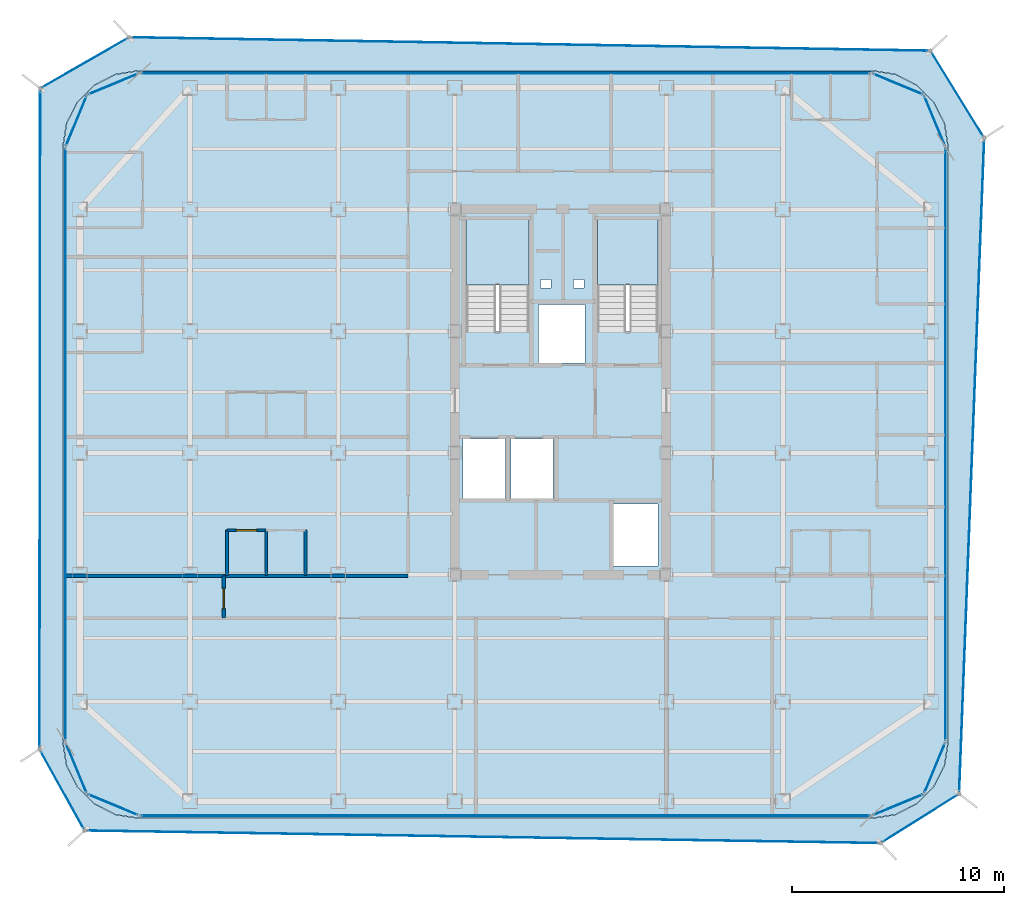
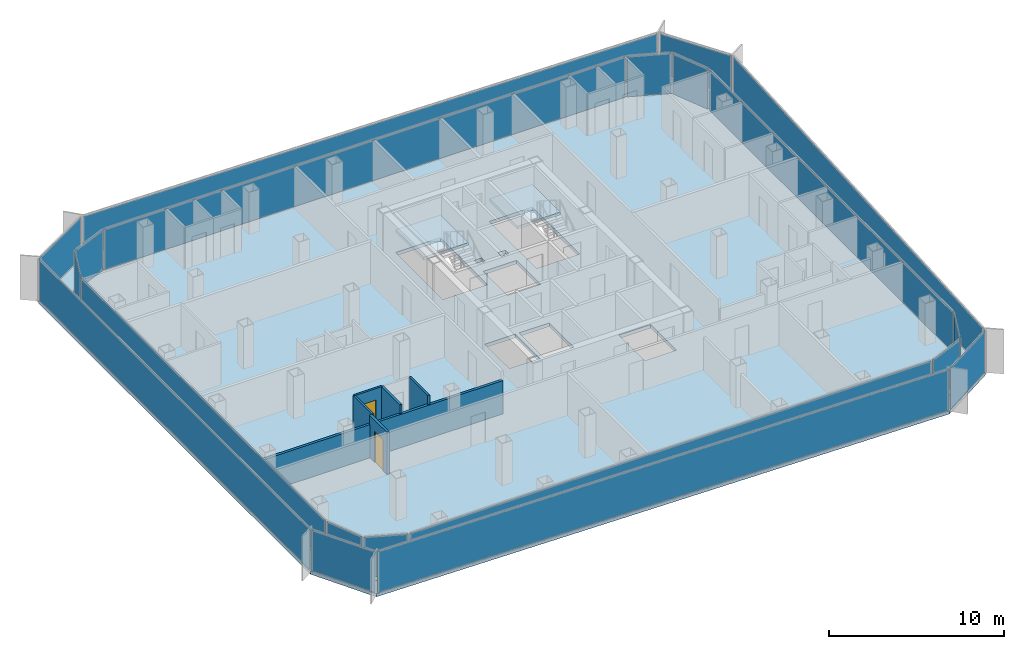
# One storey, part 9 of 15: 20 plates, 7 walls, 4 slabs, 2 doors, 2 openings, 22 elements without a shape of their own.
"""IFC4 building model written with IfcOpenShell, lengths in metres."""

from ifc_helpers import new_model, si_unit, direction, frame, frame_2d, origin, origin_2d, place, context, subcontext, project, spatial, polyline, rectangle, outline, extrude, source, transform, mapped, material, layer, layer_set, type_object, element, fill, aggregate, save


model = new_model("IFC4")

# Units and contexts
model_context = context("Model", 3, precision=1e-05, world=origin(), true_north=direction((0.0, 1.0)))
body_context = subcontext(model_context, "Body", "Model", "MODEL_VIEW")
ifc_project = project(units=[si_unit("LENGTHUNIT", "METRE"), si_unit("AREAUNIT", "SQUARE_METRE"), si_unit("VOLUMEUNIT", "CUBIC_METRE"), si_unit("PLANEANGLEUNIT", "RADIAN"), si_unit("MASSUNIT", "GRAM", prefix="KILO")], contexts=[model_context])

# Site, building, storey
site_placement = place(None, origin())
site = spatial("IfcSite", under=ifc_project, at=site_placement, CompositionType="ELEMENT")
building_placement = place(site_placement, origin())
building = spatial("IfcBuilding", under=site, at=building_placement, Name="Kolveth Station Tower", CompositionType="ELEMENT")
storey_placement = place(building_placement, frame((0.0, 0.0, 172.10009765625)))
storey = spatial("IfcBuildingStorey", under=building, at=storey_placement, Name="L48", CompositionType="ELEMENT", Elevation=172.10009765625)

# Slab
ifc_material_1 = material(Name="Concrete C40/50", Category="concrete")
ifc_layer_1 = layer(ifc_material_1, 0.25)
ifc_layer_set_1 = layer_set([ifc_layer_1], Name="Concrete C40/50")
slab_type_1 = type_object("IfcSlabType", Name="Slab_SF-250", PredefinedType="FLOOR", material=ifc_layer_set_1)
slab_1_placement = place(storey_placement, frame((0.0, 0.0, -0.25)))
element("IfcSlab", 1, at=slab_1_placement, inside=storey, type_object=slab_type_1, Name="L48 Tower Structural Floor Slab", PredefinedType="FLOOR", context=body_context, shape_type="SweptSolid", body=[
    extrude(outline(polyline([(38.199951171875, 0.0), (39.3125, 0.17626953125), (40.31591796875, 0.6875), (41.112548828125, 1.48388671875), (41.623779296875, 2.487548828125), (41.800048828125, 3.60009765625), (41.800048828125, 31.699951171875), (41.623779296875, 32.8125), (41.112548828125, 33.81591796875), (40.31591796875, 34.612548828125), (39.3125, 35.123779296875), (38.199951171875, 35.300048828125), (3.60009765625, 35.300048828125), (2.487548828125, 35.123779296875), (1.48388671875, 34.612548828125), (0.6875, 33.81591796875), (0.17626953125, 32.8125), (0.0, 31.699951171875), (0.0, 3.60009765625), (0.17626953125, 2.487548828125), (0.6875, 1.48388671875), (1.48388671875, 0.6875), (2.487548828125, 0.17626953125), (3.60009765625, 0.0), (38.199951171875, 0.0)]), holes=[polyline([(19.0400390625, 22.985107421875), (22.0, 22.985107421875), (22.0, 28.39990234375), (19.0400390625, 28.39990234375), (19.0400390625, 22.985107421875)]), polyline([(25.239990234375, 22.985107421875), (28.10009765625, 22.985107421875), (28.10009765625, 28.39990234375), (25.239990234375, 28.39990234375), (25.239990234375, 22.985107421875)]), polyline([(18.89990234375, 15.10009765625), (20.89990234375, 15.10009765625), (20.89990234375, 17.89990234375), (18.89990234375, 17.89990234375), (18.89990234375, 15.10009765625)]), polyline([(21.14990234375, 15.10009765625), (23.14990234375, 15.10009765625), (23.14990234375, 17.89990234375), (21.14990234375, 17.89990234375), (21.14990234375, 15.10009765625)]), polyline([(22.449951171875, 21.5), (24.64990234375, 21.5), (24.64990234375, 24.25), (22.449951171875, 24.25), (22.449951171875, 21.5)]), polyline([(26.0, 11.89990234375), (28.10009765625, 11.89990234375), (28.10009765625, 14.85009765625), (26.0, 14.85009765625), (26.0, 11.89990234375)]), polyline([(22.550048828125, 25.050048828125), (23.050048828125, 25.050048828125), (23.050048828125, 25.449951171875), (22.550048828125, 25.449951171875), (22.550048828125, 25.050048828125)]), polyline([(24.10009765625, 25.050048828125), (24.60009765625, 25.050048828125), (24.60009765625, 25.449951171875), (24.10009765625, 25.449951171875), (24.10009765625, 25.050048828125)])]), origin(), (0.0, 0.0, 1.0), 0.25),
])

# Stair, slab
stair_type_1 = type_object("IfcStairType", Name="Stair_ST2", PredefinedType="HALF_TURN_STAIR", material=ifc_material_1)
stair_1_placement = place(storey_placement, origin())
stair_1 = element("IfcStair", 2, at=stair_1_placement, inside=storey, type_object=stair_type_1, Name="L48 Tower Exit Stair ST2", PredefinedType="HALF_TURN_STAIR")
ifc_layer_2 = layer(ifc_material_1, 0.18994140625)
ifc_layer_set_2 = layer_set([ifc_layer_2], Name="Concrete C40/50")
slab_type_2 = type_object("IfcSlabType", Name="Slab_SL-190", PredefinedType="LANDING", material=ifc_layer_set_2)
slab_2_placement = place(storey_placement, frame((0.0, 0.0, 1.39990234375)))
slab_2 = element("IfcSlab", 3, at=slab_2_placement, type_object=slab_type_2, Name="ST2 landing 1", PredefinedType="LANDING", context=body_context, shape_type="SweptSolid", body=[
    extrude(outline(polyline([(28.10009765625, 25.18994140625), (28.10009765625, 28.39990234375), (25.239990234375, 28.39990234375), (25.239990234375, 25.18994140625), (28.10009765625, 25.18994140625)])), origin(), (0.0, 0.0, 1.0), 0.199951171875),
])
aggregate(stair_1, [slab_2])

stair_type_2 = type_object("IfcStairType", Name="Stair_ST1", PredefinedType="HALF_TURN_STAIR", material=ifc_material_1)
stair_2_placement = place(storey_placement, origin())
stair_2 = element("IfcStair", 4, at=stair_2_placement, inside=storey, type_object=stair_type_2, Name="L48 Tower Exit Stair ST1", PredefinedType="HALF_TURN_STAIR")
ifc_layer_3 = layer(ifc_material_1, 0.205078125)
ifc_layer_set_3 = layer_set([ifc_layer_3], Name="Concrete C40/50")
slab_type_3 = type_object("IfcSlabType", Name="Slab_SL-205", PredefinedType="LANDING", material=ifc_layer_set_3)
slab_3_placement = place(storey_placement, frame((0.0, 0.0, 1.39990234375)))
slab_3 = element("IfcSlab", 5, at=slab_3_placement, type_object=slab_type_3, Name="ST1 landing 1", PredefinedType="LANDING", context=body_context, shape_type="SweptSolid", body=[
    extrude(outline(polyline([(22.0, 25.18994140625), (22.0, 28.39990234375), (19.0400390625, 28.39990234375), (19.0400390625, 25.18994140625), (22.0, 25.18994140625)])), origin(), (0.0, 0.0, 1.0), 0.199951171875),
])
aggregate(stair_2, [slab_3])

# Slab
ifc_layer_4 = layer(ifc_material_1, 0.2099609375)
ifc_layer_set_4 = layer_set([ifc_layer_4], Name="Concrete C40/50")
slab_type_4 = type_object("IfcSlabType", Name="Slab_ST-210", PredefinedType="FLOOR", material=ifc_layer_set_4)
slab_4_placement = place(storey_placement, frame((0.0, 0.0, -0.210205078125)))
element("IfcSlab", 6, at=slab_4_placement, inside=storey, type_object=slab_type_4, Name="L48 Double-Skin Cavity Structural Ledger Ring", PredefinedType="FLOOR", context=body_context, shape_type="SweptSolid", body=[
    extrude(outline(polyline([(1.027099609375, -0.586181640625), (-1.10498046875, 3.2578125), (-1.072021484375, 34.464599609375), (3.130615234375, 36.877197265625), (40.9755859375, 36.241455078125), (43.51416015625, 32.118408203125), (42.327392578125, 1.148193359375), (38.62060546875, -1.18017578125), (1.027099609375, -0.586181640625)]), holes=[polyline([(38.202392578125, -0.014892578125), (39.314697265625, 0.161376953125), (39.3193359375, 0.162841796875), (40.32275390625, 0.674072265625), (40.32666015625, 0.677001953125), (41.123046875, 1.473388671875), (41.1259765625, 1.477294921875), (41.63720703125, 2.480712890625), (41.638671875, 2.485107421875), (41.814697265625, 3.59765625), (41.81494140625, 3.60009765625), (41.81494140625, 31.699951171875), (41.814697265625, 31.702392578125), (41.638671875, 32.814697265625), (41.63720703125, 32.8193359375), (41.1259765625, 33.82275390625), (41.123046875, 33.82666015625), (40.32666015625, 34.623046875), (40.32275390625, 34.6259765625), (39.3193359375, 35.13720703125), (39.314697265625, 35.138671875), (38.202392578125, 35.314697265625), (38.199951171875, 35.31494140625), (3.60009765625, 35.31494140625), (3.59765625, 35.314697265625), (2.485107421875, 35.138671875), (2.480712890625, 35.13720703125), (1.477294921875, 34.6259765625), (1.473388671875, 34.623046875), (0.677001953125, 33.82666015625), (0.674072265625, 33.82275390625), (0.162841796875, 32.8193359375), (0.161376953125, 32.814697265625), (-0.014892578125, 31.702392578125), (-0.014892578125, 31.699951171875), (-0.014892578125, 3.60009765625), (-0.014892578125, 3.59765625), (0.161376953125, 2.485107421875), (0.162841796875, 2.480712890625), (0.674072265625, 1.477294921875), (0.677001953125, 1.473388671875), (1.473388671875, 0.677001953125), (1.477294921875, 0.674072265625), (2.480712890625, 0.162841796875), (2.485107421875, 0.161376953125), (3.59765625, -0.014892578125), (3.60009765625, -0.014892578125), (38.199951171875, -0.014892578125), (38.202392578125, -0.014892578125)])]), origin(), (0.0, 0.0, 1.0), 0.210205078125),
])

# Curtain wall, plate
ifc_material_2 = material(Name="Aluminium 6063-T6 and low-E dark glass", Category="aluminium")
ifc_layer_5 = layer(ifc_material_2, 0.18994140625)
ifc_layer_set_5 = layer_set([ifc_layer_5], Name="Aluminium 6063-T6 and low-E dark glass")
curtain_wall_type_1 = type_object("IfcCurtainWallType", Name="CurtainWall_CW-Z2", PredefinedType="NOTDEFINED", material=ifc_layer_set_5)
curtain_wall_1_placement = place(storey_placement, origin())
curtain_wall_1 = element("IfcCurtainWall", 7, at=curtain_wall_1_placement, inside=storey, type_object=curtain_wall_type_1, Name="L48 Inner Thermal Curtain Wall 1", PredefinedType="NOTDEFINED")
ifc_material_3 = material(Name="Architectural low-E dark glass", Category="glass")
ifc_layer_6 = layer(ifc_material_3, 0.0380859375)
ifc_layer_set_6 = layer_set([ifc_layer_6], Name="Architectural low-E dark glass")
plate_type_1 = type_object("IfcPlateType", Name="Panel_GL2", PredefinedType="CURTAIN_PANEL", material=ifc_layer_set_6)
shared_shape_1 = source(origin(), body_context, "Body", "SweptSolid", [
    extrude(rectangle(XDim=2.517578125, YDim=0.0380859375, at=origin_2d()), origin(), (0.0, 0.0, 1.0), 2.803955078125),
])
plate_1_placement = place(storey_placement, frame((39.430419921875, 0.629638671875, 0.07275390625), z_axis=(0.0, 0.0, 1.0), x_axis=(0.923873600544, 0.382697753087, 0.0)))
plate_1 = element("IfcPlate", 8, at=plate_1_placement, type_object=plate_type_1, Name="CW-Z2 panel 1.1", PredefinedType="CURTAIN_PANEL", context=body_context, shape_type="MappedRepresentation", body=[
    mapped(shared_shape_1, transform((0.0, 0.0, 0.0), x_axis=(1.0, 0.0, 0.0), y_axis=(0.0, 1.0, 0.0), z_axis=(0.0, 0.0, 1.0), scale=1.0)),
])
aggregate(curtain_wall_1, [plate_1])

curtain_wall_2_placement = place(storey_placement, origin())
curtain_wall_2 = element("IfcCurtainWall", 9, at=curtain_wall_2_placement, inside=storey, type_object=curtain_wall_type_1, Name="L48 Inner Thermal Curtain Wall 2", PredefinedType="NOTDEFINED")
plate_2_placement = place(storey_placement, frame((41.17041015625, 2.36962890625, 0.07275390625), z_axis=(0.0, 0.0, 1.0), x_axis=(0.382697753087, 0.923873600544, 0.0)))
plate_2 = element("IfcPlate", 10, at=plate_2_placement, type_object=plate_type_1, Name="CW-Z2 panel 1.1", PredefinedType="CURTAIN_PANEL", context=body_context, shape_type="MappedRepresentation", body=[
    mapped(shared_shape_1, transform((0.0, 0.0, 0.0), x_axis=(1.0, 0.0, 0.0), y_axis=(0.0, 1.0, 0.0), z_axis=(0.0, 0.0, 1.0), scale=1.0)),
])
aggregate(curtain_wall_2, [plate_2])

curtain_wall_3_placement = place(storey_placement, origin())
curtain_wall_3 = element("IfcCurtainWall", 11, at=curtain_wall_3_placement, inside=storey, type_object=curtain_wall_type_1, Name="L48 Inner Thermal Curtain Wall 4", PredefinedType="NOTDEFINED")
plate_3_placement = place(storey_placement, frame((41.17041015625, 32.930419921875, 0.07275390625), z_axis=(0.0, 0.0, 1.0), x_axis=(-0.382697753087, 0.923873600544, 0.0)))
plate_3 = element("IfcPlate", 12, at=plate_3_placement, type_object=plate_type_1, Name="CW-Z2 panel 1.1", PredefinedType="CURTAIN_PANEL", context=body_context, shape_type="MappedRepresentation", body=[
    mapped(shared_shape_1, transform((0.0, 0.0, 0.0), x_axis=(1.0, 0.0, 0.0), y_axis=(0.0, 1.0, 0.0), z_axis=(0.0, 0.0, 1.0), scale=1.0)),
])
aggregate(curtain_wall_3, [plate_3])

curtain_wall_4_placement = place(storey_placement, origin())
curtain_wall_4 = element("IfcCurtainWall", 13, at=curtain_wall_4_placement, inside=storey, type_object=curtain_wall_type_1, Name="L48 Inner Thermal Curtain Wall 5", PredefinedType="NOTDEFINED")
plate_4_placement = place(storey_placement, frame((39.430419921875, 34.67041015625, 0.07275390625), z_axis=(0.0, 0.0, 1.0), x_axis=(-0.923873600544, 0.382697753087, 0.0)))
plate_4 = element("IfcPlate", 14, at=plate_4_placement, type_object=plate_type_1, Name="CW-Z2 panel 1.1", PredefinedType="CURTAIN_PANEL", context=body_context, shape_type="MappedRepresentation", body=[
    mapped(shared_shape_1, transform((0.0, 0.0, 0.0), x_axis=(1.0, 0.0, 0.0), y_axis=(0.0, 1.0, 0.0), z_axis=(0.0, 0.0, 1.0), scale=1.0)),
])
aggregate(curtain_wall_4, [plate_4])

curtain_wall_5_placement = place(storey_placement, origin())
curtain_wall_5 = element("IfcCurtainWall", 15, at=curtain_wall_5_placement, inside=storey, type_object=curtain_wall_type_1, Name="L48 Inner Thermal Curtain Wall 7", PredefinedType="NOTDEFINED")
plate_5_placement = place(storey_placement, frame((2.36962890625, 34.67041015625, 0.07275390625), z_axis=(0.0, 0.0, 1.0), x_axis=(-0.923873600544, -0.382697753087, 0.0)))
plate_5 = element("IfcPlate", 16, at=plate_5_placement, type_object=plate_type_1, Name="CW-Z2 panel 1.1", PredefinedType="CURTAIN_PANEL", context=body_context, shape_type="MappedRepresentation", body=[
    mapped(shared_shape_1, transform((0.0, 0.0, 0.0), x_axis=(1.0, 0.0, 0.0), y_axis=(0.0, 1.0, 0.0), z_axis=(0.0, 0.0, 1.0), scale=1.0)),
])
aggregate(curtain_wall_5, [plate_5])

curtain_wall_6_placement = place(storey_placement, origin())
curtain_wall_6 = element("IfcCurtainWall", 17, at=curtain_wall_6_placement, inside=storey, type_object=curtain_wall_type_1, Name="L48 Inner Thermal Curtain Wall 8", PredefinedType="NOTDEFINED")
plate_6_placement = place(storey_placement, frame((0.629638671875, 32.930419921875, 0.07275390625), z_axis=(0.0, 0.0, 1.0), x_axis=(-0.382697753087, -0.923873600544, 0.0)))
plate_6 = element("IfcPlate", 18, at=plate_6_placement, type_object=plate_type_1, Name="CW-Z2 panel 1.1", PredefinedType="CURTAIN_PANEL", context=body_context, shape_type="MappedRepresentation", body=[
    mapped(shared_shape_1, transform((0.0, 0.0, 0.0), x_axis=(1.0, 0.0, 0.0), y_axis=(0.0, 1.0, 0.0), z_axis=(0.0, 0.0, 1.0), scale=1.0)),
])
aggregate(curtain_wall_6, [plate_6])

curtain_wall_7_placement = place(storey_placement, origin())
curtain_wall_7 = element("IfcCurtainWall", 19, at=curtain_wall_7_placement, inside=storey, type_object=curtain_wall_type_1, Name="L48 Inner Thermal Curtain Wall 10", PredefinedType="NOTDEFINED")
plate_7_placement = place(storey_placement, frame((0.629638671875, 2.36962890625, 0.07275390625), z_axis=(0.0, 0.0, 1.0), x_axis=(0.382697753087, -0.923873600544, 0.0)))
plate_7 = element("IfcPlate", 20, at=plate_7_placement, type_object=plate_type_1, Name="CW-Z2 panel 1.1", PredefinedType="CURTAIN_PANEL", context=body_context, shape_type="MappedRepresentation", body=[
    mapped(shared_shape_1, transform((0.0, 0.0, 0.0), x_axis=(1.0, 0.0, 0.0), y_axis=(0.0, 1.0, 0.0), z_axis=(0.0, 0.0, 1.0), scale=1.0)),
])
aggregate(curtain_wall_7, [plate_7])

curtain_wall_8_placement = place(storey_placement, origin())
curtain_wall_8 = element("IfcCurtainWall", 21, at=curtain_wall_8_placement, inside=storey, type_object=curtain_wall_type_1, Name="L48 Inner Thermal Curtain Wall 11", PredefinedType="NOTDEFINED")
plate_8_placement = place(storey_placement, frame((2.36962890625, 0.629638671875, 0.07275390625), z_axis=(0.0, 0.0, 1.0), x_axis=(0.923873600544, -0.382697753087, 0.0)))
plate_8 = element("IfcPlate", 22, at=plate_8_placement, type_object=plate_type_1, Name="CW-Z2 panel 1.1", PredefinedType="CURTAIN_PANEL", context=body_context, shape_type="MappedRepresentation", body=[
    mapped(shared_shape_1, transform((0.0, 0.0, 0.0), x_axis=(1.0, 0.0, 0.0), y_axis=(0.0, 1.0, 0.0), z_axis=(0.0, 0.0, 1.0), scale=1.0)),
])
aggregate(curtain_wall_8, [plate_8])

curtain_wall_9_placement = place(storey_placement, origin())
curtain_wall_9 = element("IfcCurtainWall", 23, at=curtain_wall_9_placement, inside=storey, type_object=curtain_wall_type_1, Name="L48 Inner Thermal Curtain Wall 3", PredefinedType="NOTDEFINED")
shared_shape_2 = source(origin(), body_context, "Body", "SweptSolid", [
    extrude(rectangle(XDim=27.9541015625, YDim=0.0380859375, at=origin_2d()), origin(), (0.0, 0.0, 1.0), 2.803955078125),
])
plate_9_placement = place(storey_placement, frame((41.679931640625, 17.64990234375, 0.07275390625), z_axis=(0.0, 0.0, 1.0), x_axis=(0.0, 1.0, 0.0)))
plate_9 = element("IfcPlate", 24, at=plate_9_placement, type_object=plate_type_1, Name="CW-Z2 panel 1.1", PredefinedType="CURTAIN_PANEL", context=body_context, shape_type="MappedRepresentation", body=[
    mapped(shared_shape_2, transform((0.0, 0.0, 0.0), x_axis=(1.0, 0.0, 0.0), y_axis=(0.0, 1.0, 0.0), z_axis=(0.0, 0.0, 1.0), scale=1.0)),
])
aggregate(curtain_wall_9, [plate_9])

curtain_wall_10_placement = place(storey_placement, origin())
curtain_wall_10 = element("IfcCurtainWall", 25, at=curtain_wall_10_placement, inside=storey, type_object=curtain_wall_type_1, Name="L48 Inner Thermal Curtain Wall 9", PredefinedType="NOTDEFINED")
plate_10_placement = place(storey_placement, frame((0.1201171875, 17.64990234375, 0.07275390625), z_axis=(0.0, 0.0, 1.0), x_axis=(0.0, -1.0, 0.0)))
plate_10 = element("IfcPlate", 26, at=plate_10_placement, type_object=plate_type_1, Name="CW-Z2 panel 1.1", PredefinedType="CURTAIN_PANEL", context=body_context, shape_type="MappedRepresentation", body=[
    mapped(shared_shape_2, transform((0.0, 0.0, 0.0), x_axis=(1.0, 0.0, 0.0), y_axis=(0.0, 1.0, 0.0), z_axis=(0.0, 0.0, 1.0), scale=1.0)),
])
aggregate(curtain_wall_10, [plate_10])

curtain_wall_11_placement = place(storey_placement, origin())
curtain_wall_11 = element("IfcCurtainWall", 27, at=curtain_wall_11_placement, inside=storey, type_object=curtain_wall_type_1, Name="L48 Inner Thermal Curtain Wall 6", PredefinedType="NOTDEFINED")
shared_shape_3 = source(origin(), body_context, "Body", "SweptSolid", [
    extrude(rectangle(XDim=34.4541015625, YDim=0.0380859375, at=origin_2d()), origin(), (0.0, 0.0, 1.0), 2.803955078125),
])
plate_11_placement = place(storey_placement, frame((20.89990234375, 35.179931640625, 0.07275390625), z_axis=(0.0, 0.0, 1.0), x_axis=(-1.0, 0.0, 0.0)))
plate_11 = element("IfcPlate", 28, at=plate_11_placement, type_object=plate_type_1, Name="CW-Z2 panel 1.1", PredefinedType="CURTAIN_PANEL", context=body_context, shape_type="MappedRepresentation", body=[
    mapped(shared_shape_3, transform((0.0, 0.0, 0.0), x_axis=(1.0, 0.0, 0.0), y_axis=(0.0, 1.0, 0.0), z_axis=(0.0, 0.0, 1.0), scale=1.0)),
])
aggregate(curtain_wall_11, [plate_11])

curtain_wall_12_placement = place(storey_placement, origin())
curtain_wall_12 = element("IfcCurtainWall", 29, at=curtain_wall_12_placement, inside=storey, type_object=curtain_wall_type_1, Name="L48 Inner Thermal Curtain Wall 12", PredefinedType="NOTDEFINED")
plate_12_placement = place(storey_placement, frame((20.89990234375, 0.1201171875, 0.07275390625), z_axis=(0.0, 0.0, 1.0), x_axis=(1.0, 0.0, 0.0)))
plate_12 = element("IfcPlate", 30, at=plate_12_placement, type_object=plate_type_1, Name="CW-Z2 panel 1.1", PredefinedType="CURTAIN_PANEL", context=body_context, shape_type="MappedRepresentation", body=[
    mapped(shared_shape_3, transform((0.0, 0.0, 0.0), x_axis=(1.0, 0.0, 0.0), y_axis=(0.0, 1.0, 0.0), z_axis=(0.0, 0.0, 1.0), scale=1.0)),
])
aggregate(curtain_wall_12, [plate_12])

ifc_material_4 = material(Name="Black anodized aluminium 6063-T6 and dark solar glass", Category="aluminium")
ifc_layer_7 = layer(ifc_material_4, 0.159912109375)
ifc_layer_set_7 = layer_set([ifc_layer_7], Name="Black anodized aluminium 6063-T6 and dark solar glass")
curtain_wall_type_2 = type_object("IfcCurtainWallType", Name="OUTER SKIN CW-OS", PredefinedType="NOTDEFINED", material=ifc_layer_set_7)
curtain_wall_13_placement = place(storey_placement, origin())
curtain_wall_13 = element("IfcCurtainWall", 31, at=curtain_wall_13_placement, inside=storey, type_object=curtain_wall_type_2, Name="L48 Outer Ventilated Skin Curtain Wall 1", PredefinedType="NOTDEFINED")
ifc_layer_8 = layer(ifc_material_3, 0.028076171875)
ifc_layer_set_8 = layer_set([ifc_layer_8], Name="Architectural low-E dark glass")
plate_type_2 = type_object("IfcPlateType", Name="Panel_GL-OS", PredefinedType="CURTAIN_PANEL", material=ifc_layer_set_8)
shared_shape_4 = source(origin(), body_context, "Body", "SweptSolid", [
    extrude(rectangle(XDim=4.21142578125, YDim=0.028076171875, at=origin_2d()), origin(), (0.0, 0.0, 1.0), 2.843994140625),
])
plate_13_placement = place(storey_placement, frame((40.47412109375, -0.015869140625, 0.07275390625), z_axis=(0.0, 0.0, 1.0), x_axis=(0.846789726823, 0.531927775686, 0.0)))
plate_13 = element("IfcPlate", 32, at=plate_13_placement, type_object=plate_type_2, Name="CW-OS panel 1.1", PredefinedType="CURTAIN_PANEL", context=body_context, shape_type="MappedRepresentation", body=[
    mapped(shared_shape_4, transform((0.0, 0.0, 0.0), x_axis=(1.0, 0.0, 0.0), y_axis=(0.0, 1.0, 0.0), z_axis=(0.0, 0.0, 1.0), scale=1.0)),
])
aggregate(curtain_wall_13, [plate_13])

curtain_wall_14_placement = place(storey_placement, origin())
curtain_wall_14 = element("IfcCurtainWall", 33, at=curtain_wall_14_placement, inside=storey, type_object=curtain_wall_type_2, Name="L48 Outer Ventilated Skin Curtain Wall 2", PredefinedType="NOTDEFINED")
shared_shape_5 = source(origin(), body_context, "Body", "SweptSolid", [
    extrude(rectangle(XDim=30.82666015625, YDim=0.028076171875, at=origin_2d()), origin(), (0.0, 0.0, 1.0), 2.843994140625),
])
plate_14_placement = place(storey_placement, frame((42.9208984375, 16.63330078125, 0.07275390625), z_axis=(0.0, 0.0, 1.0), x_axis=(0.038292849638, 0.999266559866, 0.0)))
plate_14 = element("IfcPlate", 34, at=plate_14_placement, type_object=plate_type_2, Name="CW-OS panel 1.1", PredefinedType="CURTAIN_PANEL", context=body_context, shape_type="MappedRepresentation", body=[
    mapped(shared_shape_5, transform((0.0, 0.0, 0.0), x_axis=(1.0, 0.0, 0.0), y_axis=(0.0, 1.0, 0.0), z_axis=(0.0, 0.0, 1.0), scale=1.0)),
])
aggregate(curtain_wall_14, [plate_14])

curtain_wall_15_placement = place(storey_placement, origin())
curtain_wall_15 = element("IfcCurtainWall", 35, at=curtain_wall_15_placement, inside=storey, type_object=curtain_wall_type_2, Name="L48 Outer Ventilated Skin Curtain Wall 3", PredefinedType="NOTDEFINED")
shared_shape_6 = source(origin(), body_context, "Body", "SweptSolid", [
    extrude(rectangle(XDim=4.67578125, YDim=0.028076171875, at=origin_2d()), origin(), (0.0, 0.0, 1.0), 2.843994140625),
])
plate_15_placement = place(storey_placement, frame((42.244873046875, 34.179931640625, 0.07275390625), z_axis=(0.0, 0.0, 1.0), x_axis=(-0.524293303653, 0.851537745343, 0.0)))
plate_15 = element("IfcPlate", 36, at=plate_15_placement, type_object=plate_type_2, Name="CW-OS panel 1.1", PredefinedType="CURTAIN_PANEL", context=body_context, shape_type="MappedRepresentation", body=[
    mapped(shared_shape_6, transform((0.0, 0.0, 0.0), x_axis=(1.0, 0.0, 0.0), y_axis=(0.0, 1.0, 0.0), z_axis=(0.0, 0.0, 1.0), scale=1.0)),
])
aggregate(curtain_wall_15, [plate_15])

curtain_wall_16_placement = place(storey_placement, origin())
curtain_wall_16 = element("IfcCurtainWall", 37, at=curtain_wall_16_placement, inside=storey, type_object=curtain_wall_type_2, Name="L48 Outer Ventilated Skin Curtain Wall 4", PredefinedType="NOTDEFINED")
shared_shape_7 = source(origin(), body_context, "Body", "SweptSolid", [
    extrude(rectangle(XDim=37.684326171875, YDim=0.028076171875, at=origin_2d()), origin(), (0.0, 0.0, 1.0), 2.843994140625),
])
plate_16_placement = place(storey_placement, frame((22.052978515625, 36.559326171875, 0.07275390625), z_axis=(0.0, 0.0, 1.0), x_axis=(-0.999858864459, 0.016800332197, 0.0)))
plate_16 = element("IfcPlate", 38, at=plate_16_placement, type_object=plate_type_2, Name="CW-OS panel 1.1", PredefinedType="CURTAIN_PANEL", context=body_context, shape_type="MappedRepresentation", body=[
    mapped(shared_shape_7, transform((0.0, 0.0, 0.0), x_axis=(1.0, 0.0, 0.0), y_axis=(0.0, 1.0, 0.0), z_axis=(0.0, 0.0, 1.0), scale=1.0)),
])
aggregate(curtain_wall_16, [plate_16])

curtain_wall_17_placement = place(storey_placement, origin())
curtain_wall_17 = element("IfcCurtainWall", 39, at=curtain_wall_17_placement, inside=storey, type_object=curtain_wall_type_2, Name="L48 Outer Ventilated Skin Curtain Wall 5", PredefinedType="NOTDEFINED")
shared_shape_8 = source(origin(), body_context, "Body", "SweptSolid", [
    extrude(rectangle(XDim=4.679931640625, YDim=0.028076171875, at=origin_2d()), origin(), (0.0, 0.0, 1.0), 2.843994140625),
])
plate_17_placement = place(storey_placement, frame((1.029296875, 35.6708984375, 0.07275390625), z_axis=(0.0, 0.0, 1.0), x_axis=(-0.8672445166, -0.497882464471, 0.0)))
plate_17 = element("IfcPlate", 40, at=plate_17_placement, type_object=plate_type_2, Name="CW-OS panel 1.1", PredefinedType="CURTAIN_PANEL", context=body_context, shape_type="MappedRepresentation", body=[
    mapped(shared_shape_8, transform((0.0, 0.0, 0.0), x_axis=(1.0, 0.0, 0.0), y_axis=(0.0, 1.0, 0.0), z_axis=(0.0, 0.0, 1.0), scale=1.0)),
])
aggregate(curtain_wall_17, [plate_17])

curtain_wall_18_placement = place(storey_placement, origin())
curtain_wall_18 = element("IfcCurtainWall", 41, at=curtain_wall_18_placement, inside=storey, type_object=curtain_wall_type_2, Name="L48 Outer Ventilated Skin Curtain Wall 6", PredefinedType="NOTDEFINED")
shared_shape_9 = source(origin(), body_context, "Body", "SweptSolid", [
    extrude(rectangle(XDim=31.040771484375, YDim=0.028076171875, at=origin_2d()), origin(), (0.0, 0.0, 1.0), 2.843994140625),
])
plate_18_placement = place(storey_placement, frame((-1.088623046875, 18.861083984375, 0.07275390625), z_axis=(0.0, 0.0, 1.0), x_axis=(-0.001057461251, -0.999999440888, 0.0)))
plate_18 = element("IfcPlate", 42, at=plate_18_placement, type_object=plate_type_2, Name="CW-OS panel 1.1", PredefinedType="CURTAIN_PANEL", context=body_context, shape_type="MappedRepresentation", body=[
    mapped(shared_shape_9, transform((0.0, 0.0, 0.0), x_axis=(1.0, 0.0, 0.0), y_axis=(0.0, 1.0, 0.0), z_axis=(0.0, 0.0, 1.0), scale=1.0)),
])
aggregate(curtain_wall_18, [plate_18])

curtain_wall_19_placement = place(storey_placement, origin())
curtain_wall_19 = element("IfcCurtainWall", 43, at=curtain_wall_19_placement, inside=storey, type_object=curtain_wall_type_2, Name="L48 Outer Ventilated Skin Curtain Wall 7", PredefinedType="NOTDEFINED")
shared_shape_10 = source(origin(), body_context, "Body", "SweptSolid", [
    extrude(rectangle(XDim=4.229736328125, YDim=0.028076171875, at=origin_2d()), origin(), (0.0, 0.0, 1.0), 2.843994140625),
])
plate_19_placement = place(storey_placement, frame((-0.0390625, 1.335693359375, 0.07275390625), z_axis=(0.0, 0.0, 1.0), x_axis=(0.485076894417, -0.874471501253, 0.0)))
plate_19 = element("IfcPlate", 44, at=plate_19_placement, type_object=plate_type_2, Name="CW-OS panel 1.1", PredefinedType="CURTAIN_PANEL", context=body_context, shape_type="MappedRepresentation", body=[
    mapped(shared_shape_10, transform((0.0, 0.0, 0.0), x_axis=(1.0, 0.0, 0.0), y_axis=(0.0, 1.0, 0.0), z_axis=(0.0, 0.0, 1.0), scale=1.0)),
])
aggregate(curtain_wall_19, [plate_19])

curtain_wall_20_placement = place(storey_placement, origin())
curtain_wall_20 = element("IfcCurtainWall", 45, at=curtain_wall_20_placement, inside=storey, type_object=curtain_wall_type_2, Name="L48 Outer Ventilated Skin Curtain Wall 8", PredefinedType="NOTDEFINED")
shared_shape_11 = source(origin(), body_context, "Body", "SweptSolid", [
    extrude(rectangle(XDim=37.43212890625, YDim=0.028076171875, at=origin_2d()), origin(), (0.0, 0.0, 1.0), 2.843994140625),
])
plate_20_placement = place(storey_placement, frame((19.823974609375, -0.88330078125, 0.07275390625), z_axis=(0.0, 0.0, 1.0), x_axis=(0.999875193164, -0.015798673821, 0.0)))
plate_20 = element("IfcPlate", 46, at=plate_20_placement, type_object=plate_type_2, Name="CW-OS panel 1.1", PredefinedType="CURTAIN_PANEL", context=body_context, shape_type="MappedRepresentation", body=[
    mapped(shared_shape_11, transform((0.0, 0.0, 0.0), x_axis=(1.0, 0.0, 0.0), y_axis=(0.0, 1.0, 0.0), z_axis=(0.0, 0.0, 1.0), scale=1.0)),
])
aggregate(curtain_wall_20, [plate_20])

# Wall, opening, door
ifc_material_5 = material(Name="Moisture-resistant gypsum partition")
ifc_layer_9 = layer(ifc_material_5, 0.135009765625)
ifc_layer_set_9 = layer_set([ifc_layer_9], Name="Moisture-resistant gypsum partition")
wall_type_1 = type_object("IfcWallType", Name="Wall_IW-135", PredefinedType="PARTITIONING", material=ifc_layer_set_9)
wall_1_placement = place(storey_placement, frame((7.75, 13.60009765625, 0.0), z_axis=(0.0, 0.0, 1.0), x_axis=(1.0, 0.0, 0.0)))
wall_1 = element("IfcWall", 47, at=wall_1_placement, inside=storey, type_object=wall_type_1, Name="L48 Partition Wall WL-L48-W1-IBHK", PredefinedType="PARTITIONING", context=body_context, shape_type="SweptSolid", body=[
    extrude(rectangle(XDim=1.85009765625, YDim=0.135009765625, at=frame_2d((0.925048828125, 0.0))), origin(), (0.0, 0.0, 1.0), 2.949951171875),
])
opening_1_placement = place(wall_1_placement, frame((0.445068359375, 0.0, 0.0)))
opening_1 = element("IfcOpeningElement", 48, at=opening_1_placement, cuts=wall_1, Name="Opening ID1", PredefinedType="OPENING", context=body_context, shape_type="SweptSolid", body=[
    extrude(rectangle(XDim=0.949951171875, YDim=2.14990234375, at=frame_2d((0.47509765625, 1.074951171875))), frame((0.0, 0.077392578125, 0.0), z_axis=(0.0, -1.0, 0.0), x_axis=(1.0, 0.0, 0.0)), (0.0, 0.0, 1.0), 0.155029296875),
])
ifc_material_6 = material(Name="Acoustic hardwood leaf and aluminium frame", Category="wood")
door_type = type_object("IfcDoorType", Name="Door_ID1", OperationType="NOTDEFINED", PredefinedType="DOOR", material=ifc_material_6)
door_1_placement = place(opening_1_placement, origin())
door_1 = element("IfcDoor", 49, at=door_1_placement, inside=storey, type_object=door_type, Name="Penthouse Flat L48-W1 Kitchen Door", OperationType="SINGLE_SWING_LEFT", OverallHeight=2.14990234375, OverallWidth=0.949951171875, PredefinedType="DOOR", context=body_context, shape_type="SweptSolid", body=[
    extrude(rectangle(XDim=0.949951171875, YDim=2.14990234375, at=frame_2d((0.47509765625, 1.074951171875))), frame((0.0, 0.02490234375, 0.0), z_axis=(0.0, -1.0, 0.0), x_axis=(1.0, 0.0, 0.0)), (0.0, 0.0, 1.0), 0.050048828125),
])
fill(opening_1, door_1)

# Walls
for number, where, z_axis, x_axis, name in (
    (50, (7.75, 11.449951171875, 0.0), (0.0, 0.0, 1.0), (0.0, 1.0, 0.0), "L48 Partition Wall WL-L48-W1-IBV0"),
    (51, (9.60009765625, 11.449951171875, 0.0), (0.0, 0.0, 1.0), (0.0, 1.0, 0.0), "L48 Partition Wall WL-L48-W1-IBV1"),
    (52, (11.449951171875, 11.449951171875, 0.0), (0.0, 0.0, 1.0), (0.0, 1.0, 0.0), "L48 Partition Wall WL-L48-W1-IBV2"),
):
    element("IfcWall", number, at=place(storey_placement, frame(where, z_axis=z_axis, x_axis=x_axis)), inside=storey, type_object=wall_type_1, Name=name, PredefinedType="PARTITIONING", context=body_context, shape_type="SweptSolid", body=[
        extrude(rectangle(XDim=2.150146484375, YDim=0.135009765625, at=frame_2d((1.0751953125, 0.0))), origin(), (0.0, 0.0, 1.0), 2.949951171875),
    ])
ifc_material_7 = material(Name="Acoustic double-stud gypsum partition")
ifc_layer_10 = layer(ifc_material_7, 0.1650390625)
ifc_layer_set_10 = layer_set([ifc_layer_10], Name="Acoustic double-stud gypsum partition")
wall_type_2 = type_object("IfcWallType", Name="Wall_IW-165", PredefinedType="PARTITIONING", material=ifc_layer_set_10)
wall_2_placement = place(storey_placement, frame((7.60009765625, 11.449951171875, 0.0), z_axis=(0.0, 0.0, 1.0), x_axis=(1.0, 0.0, 0.0)))
element("IfcWall", 53, at=wall_2_placement, inside=storey, type_object=wall_type_2, Name="L48 Partition Wall WL-L48-RSWT", PredefinedType="PARTITIONING", context=body_context, shape_type="SweptSolid", body=[
    extrude(rectangle(XDim=8.699951171875, YDim=0.1650390625, at=frame_2d((4.35009765625, 0.0))), origin(), (0.0, 0.0, 1.0), 2.322998046875),
])

# Wall, opening, door
wall_3_placement = place(storey_placement, frame((7.60009765625, 9.449951171875, 0.0), z_axis=(0.0, 0.0, 1.0), x_axis=(0.0, 1.0, 0.0)))
wall_3 = element("IfcWall", 54, at=wall_3_placement, inside=storey, type_object=wall_type_2, Name="L48 Partition Wall WL-L48-RSWE", PredefinedType="PARTITIONING", context=body_context, shape_type="SweptSolid", body=[
    extrude(rectangle(XDim=2.0, YDim=0.1650390625, at=frame_2d((1.0, 0.0))), origin(), (0.0, 0.0, 1.0), 2.949951171875),
])
opening_2_placement = place(wall_3_placement, frame((0.449951171875, 0.0, 0.0)))
opening_2 = element("IfcOpeningElement", 55, at=opening_2_placement, cuts=wall_3, Name="Opening ID1", PredefinedType="OPENING", context=body_context, shape_type="SweptSolid", body=[
    extrude(rectangle(XDim=0.949951171875, YDim=2.14990234375, at=frame_2d((0.47509765625, 1.074951171875))), frame((0.0, 0.092529296875, 0.0), z_axis=(0.0, -1.0, 0.0), x_axis=(1.0, 0.0, 0.0)), (0.0, 0.0, 1.0), 0.18505859375),
])
door_2_placement = place(opening_2_placement, frame((0.949951171875, 0.0, 0.0), z_axis=(0.0, 0.0, 1.0), x_axis=(-1.0, 0.0, 0.0)))
door_2 = element("IfcDoor", 56, at=door_2_placement, inside=storey, type_object=door_type, Name="L48 West Store Door", OperationType="SINGLE_SWING_LEFT", OverallHeight=2.14990234375, OverallWidth=0.949951171875, PredefinedType="DOOR", context=body_context, shape_type="SweptSolid", body=[
    extrude(rectangle(XDim=0.949951171875, YDim=2.14990234375, at=frame_2d((0.47509765625, 1.074951171875))), frame((0.0, 0.02490234375, 0.0), z_axis=(0.0, -1.0, 0.0), x_axis=(1.0, 0.0, 0.0)), (0.0, 0.0, 1.0), 0.050048828125),
])
fill(opening_2, door_2)

# Wall
wall_4_placement = place(storey_placement, frame((0.159912109375, 11.449951171875, 0.0), z_axis=(0.0, 0.0, 1.0), x_axis=(1.0, 0.0, 0.0)))
element("IfcWall", 57, at=wall_4_placement, inside=storey, type_object=wall_type_2, Name="L48 Partition Wall WL-L48-WSTN", PredefinedType="PARTITIONING", context=body_context, shape_type="SweptSolid", body=[
    extrude(rectangle(XDim=7.440185546875, YDim=0.1650390625, at=frame_2d((3.72021484375, 0.0))), origin(), (0.0, 0.0, 1.0), 2.322998046875),
])

save(model, "model.ifc")
